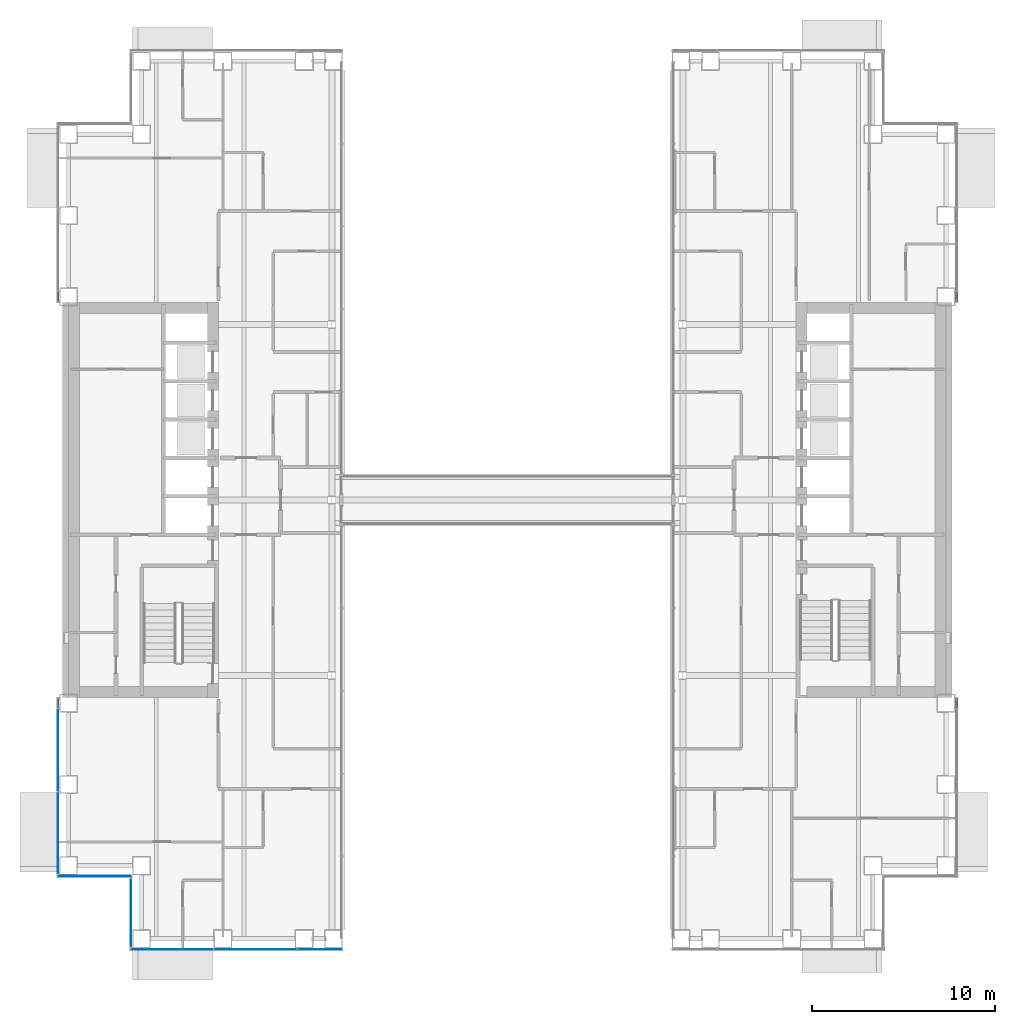
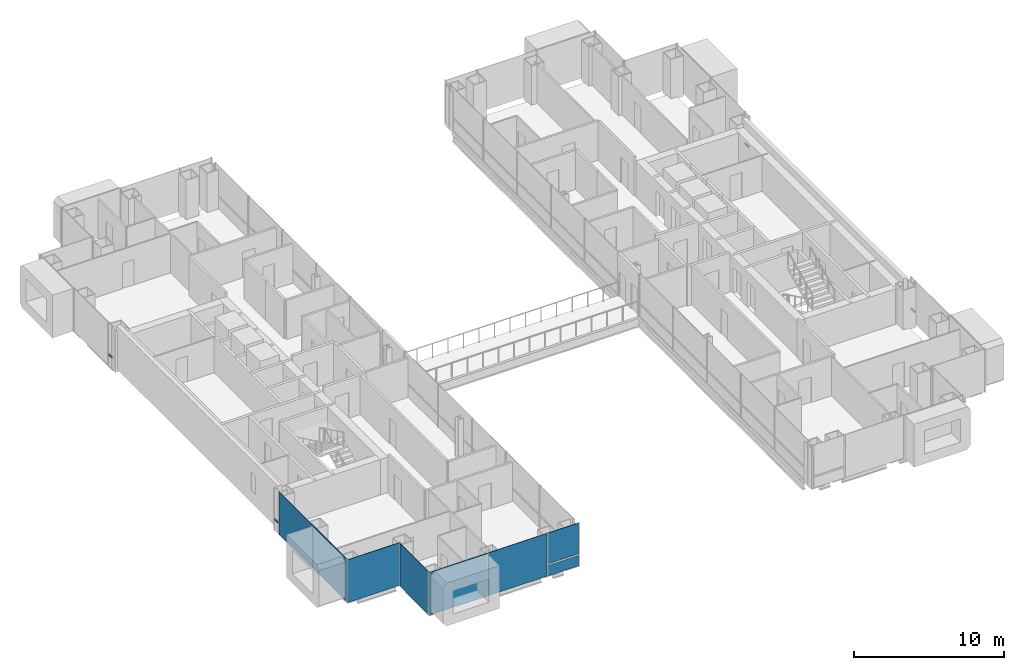
# One storey, part 8 of 21: 8 plates, 4 members, 7 elements without a shape of their own.
"""IFC4 building model written with IfcOpenShell, lengths in metres."""

from ifc_helpers import new_model, si_unit, direction, frame, origin, origin_2d, place, context, subcontext, project, spatial, rectangle, extrude, material, layer, layer_set, material_profile, profile_set, type_object, element, aggregate, save


model = new_model("IFC4")

# Units and contexts
model_context = context("Model", 3, precision=1e-05, world=origin(), true_north=direction((0.0, 1.0)))
body_context = subcontext(model_context, "Body", "Model", "MODEL_VIEW")
ifc_project = project(units=[si_unit("LENGTHUNIT", "METRE"), si_unit("AREAUNIT", "SQUARE_METRE"), si_unit("VOLUMEUNIT", "CUBIC_METRE"), si_unit("PLANEANGLEUNIT", "RADIAN"), si_unit("MASSUNIT", "GRAM", prefix="KILO")], contexts=[model_context])

# Site, building, storey
site_placement = place(None, origin())
site = spatial("IfcSite", under=ifc_project, at=site_placement, CompositionType="ELEMENT")
building_placement = place(site_placement, origin())
building = spatial("IfcBuilding", under=site, at=building_placement, Name="Cobrizo Arcos Hotel Tower", CompositionType="ELEMENT")
storey_placement = place(building_placement, frame((0.0, 0.0, 81.0)))
storey = spatial("IfcBuildingStorey", under=building, at=storey_placement, Name="L19", CompositionType="ELEMENT", Elevation=81.0)

# Curtain wall, member
ifc_material_1 = material(Name="Aluminium 6063-T6 anodised bronze", Category="aluminium")
curtain_wall_type = type_object("IfcCurtainWallType", Name="CW-A guest facade", PredefinedType="NOTDEFINED", material=ifc_material_1)
curtain_wall_1_placement = place(storey_placement, origin())
curtain_wall_1 = element("IfcCurtainWall", 1, at=curtain_wall_1_placement, inside=storey, type_object=curtain_wall_type, Name="CW-A L19 E face", PredefinedType="NOTDEFINED")
ifc_material_profile = material_profile(ifc_material_1, rectangle(XDim=0.10009765625, YDim=0.1201171875, at=origin_2d()), Name="CW-A transom 120x100")
ifc_profile_set = profile_set([ifc_material_profile], Name="Aluminium 6063-T6 anodised bronze")
member_type = type_object("IfcMemberType", Name="CW-A transom 120x100", PredefinedType="USERDEFINED", material=ifc_profile_set)
member_1_placement = place(storey_placement, frame((24.574951171875, -11.35888671875, 0.929931640625), z_axis=(0.0, 1.0, 0.0), x_axis=(-1.0, 0.0, 0.0)))
member_1 = element("IfcMember", 2, at=member_1_placement, type_object=member_type, Name="CW-A transom 791", ObjectType="TRANSOM", PredefinedType="USERDEFINED", context=body_context, shape_type="SweptSolid", body=[
    extrude(rectangle(XDim=0.10009765625, YDim=0.1201171875, at=origin_2d()), origin(), (0.0, 0.0, 1.0), 0.498779296875),
])
aggregate(curtain_wall_1, [member_1])

curtain_wall_2_placement = place(storey_placement, origin())
curtain_wall_2 = element("IfcCurtainWall", 3, at=curtain_wall_2_placement, inside=storey, type_object=curtain_wall_type, Name="CW-A L19 E face", PredefinedType="NOTDEFINED")
member_2_placement = place(storey_placement, frame((24.574951171875, 10.860107421875, 0.929931640625), z_axis=(0.0, 1.0, 0.0), x_axis=(-1.0, 0.0, 0.0)))
member_2 = element("IfcMember", 4, at=member_2_placement, type_object=member_type, Name="CW-A transom 792", ObjectType="TRANSOM", PredefinedType="USERDEFINED", context=body_context, shape_type="SweptSolid", body=[
    extrude(rectangle(XDim=0.10009765625, YDim=0.1201171875, at=origin_2d()), origin(), (0.0, 0.0, 1.0), 0.498779296875),
])
aggregate(curtain_wall_2, [member_2])

curtain_wall_3_placement = place(storey_placement, origin())
curtain_wall_3 = element("IfcCurtainWall", 5, at=curtain_wall_3_placement, inside=storey, type_object=curtain_wall_type, Name="CW-A L19 W face", PredefinedType="NOTDEFINED")
member_3_placement = place(storey_placement, frame((-24.574951171875, 11.35888671875, 0.929931640625), z_axis=(0.0, -1.0, 0.0), x_axis=(1.0, 0.0, 0.0)))
member_3 = element("IfcMember", 6, at=member_3_placement, type_object=member_type, Name="CW-A transom 807", ObjectType="TRANSOM", PredefinedType="USERDEFINED", context=body_context, shape_type="SweptSolid", body=[
    extrude(rectangle(XDim=0.10009765625, YDim=0.1201171875, at=origin_2d()), origin(), (0.0, 0.0, 1.0), 0.498779296875),
])
aggregate(curtain_wall_3, [member_3])

curtain_wall_4_placement = place(storey_placement, origin())
curtain_wall_4 = element("IfcCurtainWall", 7, at=curtain_wall_4_placement, inside=storey, type_object=curtain_wall_type, Name="CW-A L19 W face", PredefinedType="NOTDEFINED")
member_4_placement = place(storey_placement, frame((-24.574951171875, -10.860107421875, 0.929931640625), z_axis=(0.0, -1.0, 0.0), x_axis=(1.0, 0.0, 0.0)))
member_4 = element("IfcMember", 8, at=member_4_placement, type_object=member_type, Name="CW-A transom 808", ObjectType="TRANSOM", PredefinedType="USERDEFINED", context=body_context, shape_type="SweptSolid", body=[
    extrude(rectangle(XDim=0.10009765625, YDim=0.1201171875, at=origin_2d()), origin(), (0.0, 0.0, 1.0), 0.498779296875),
])

# Curtain wall, plates
curtain_wall_5_placement = place(storey_placement, origin())
curtain_wall_5 = element("IfcCurtainWall", 9, at=curtain_wall_5_placement, inside=storey, type_object=curtain_wall_type, Name="CW-A L19 S face", PredefinedType="NOTDEFINED")
ifc_material_2 = material(Name="Glass clear laminated low-e", Category="glass")
ifc_layer_1 = layer(ifc_material_2, 0.0400390625)
ifc_layer_set_1 = layer_set([ifc_layer_1], Name="CW-A glass panel")
plate_type_1 = type_object("IfcPlateType", Name="CW-A glass panel", PredefinedType="CURTAIN_PANEL", material=ifc_layer_set_1)
plate_1_placement = place(storey_placement, frame((-10.251220703125, -24.574951171875, 0.990234375), z_axis=(0.0, 0.0, 1.0), x_axis=(1.0, 0.0, 0.0)))
plate_1 = element("IfcPlate", 10, at=plate_1_placement, type_object=plate_type_1, Name="CW-A glass panel 783", PredefinedType="CURTAIN_PANEL", context=body_context, shape_type="SweptSolid", body=[
    extrude(rectangle(XDim=2.38232421875, YDim=0.0400390625, at=origin_2d()), origin(), (0.0, 0.0, 1.0), 2.510009765625),
])
ifc_material_3 = material(Name="Aluminium composite panel pale metal", Category="aluminium")
ifc_layer_2 = layer(ifc_material_3, 0.0400390625)
ifc_layer_set_2 = layer_set([ifc_layer_2], Name="CW-A spandrel panel")
plate_type_2 = type_object("IfcPlateType", Name="CW-A spandrel panel", PredefinedType="CURTAIN_PANEL", material=ifc_layer_set_2)
plate_2_placement = place(storey_placement, frame((-18.340576171875, -24.574951171875, 0.0), z_axis=(0.0, 0.0, 1.0), x_axis=(1.0, 0.0, 0.0)))
plate_2 = element("IfcPlate", 11, at=plate_2_placement, type_object=plate_type_2, Name="CW-A spandrel panel 781", PredefinedType="CURTAIN_PANEL", context=body_context, shape_type="SweptSolid", body=[
    extrude(rectangle(XDim=4.498779296875, YDim=0.0400390625, at=origin_2d()), origin(), (0.0, 0.0, 1.0), 3.5),
])
plate_3_placement = place(storey_placement, frame((-13.7666015625, -24.574951171875, 0.0), z_axis=(0.0, 0.0, 1.0), x_axis=(1.0, 0.0, 0.0)))
plate_3 = element("IfcPlate", 12, at=plate_3_placement, type_object=plate_type_2, Name="CW-A spandrel panel 782", PredefinedType="CURTAIN_PANEL", context=body_context, shape_type="SweptSolid", body=[
    extrude(rectangle(XDim=4.52880859375, YDim=0.0400390625, at=origin_2d()), origin(), (0.0, 0.0, 1.0), 3.5),
])
plate_4_placement = place(storey_placement, frame((-10.251220703125, -24.574951171875, 0.0), z_axis=(0.0, 0.0, 1.0), x_axis=(1.0, 0.0, 0.0)))
plate_4 = element("IfcPlate", 13, at=plate_4_placement, type_object=plate_type_2, Name="CW-A spandrel panel 783", PredefinedType="CURTAIN_PANEL", context=body_context, shape_type="SweptSolid", body=[
    extrude(rectangle(XDim=2.38232421875, YDim=0.0400390625, at=origin_2d()), origin(), (0.0, 0.0, 1.0), 0.8701171875),
])
aggregate(curtain_wall_5, [plate_2, plate_3, plate_4, plate_1])

# Plate
plate_5_placement = place(storey_placement, frame((-24.574951171875, -13.666748046875, 0.0), z_axis=(0.0, 0.0, 1.0), x_axis=(0.0, -1.0, 0.0)))
plate_5 = element("IfcPlate", 14, at=plate_5_placement, type_object=plate_type_2, Name="CW-A spandrel panel 809", PredefinedType="CURTAIN_PANEL", context=body_context, shape_type="SweptSolid", body=[
    extrude(rectangle(XDim=4.49560546875, YDim=0.0400390625, at=origin_2d()), origin(), (0.0, 0.0, 1.0), 3.5),
])

plate_6_placement = place(storey_placement, frame((-24.574951171875, -18.207275390625, 0.0), z_axis=(0.0, 0.0, 1.0), x_axis=(0.0, -1.0, 0.0)))
plate_6 = element("IfcPlate", 15, at=plate_6_placement, type_object=plate_type_2, Name="CW-A spandrel panel 810", PredefinedType="CURTAIN_PANEL", context=body_context, shape_type="SweptSolid", body=[
    extrude(rectangle(XDim=4.465576171875, YDim=0.0400390625, at=origin_2d()), origin(), (0.0, 0.0, 1.0), 3.5),
])

aggregate(curtain_wall_4, [member_4, plate_5, plate_6])

# Curtain wall, plate
curtain_wall_6_placement = place(storey_placement, origin())
curtain_wall_6 = element("IfcCurtainWall", 16, at=curtain_wall_6_placement, inside=storey, type_object=curtain_wall_type, Name="CW-A L19 S face", PredefinedType="NOTDEFINED")
plate_7_placement = place(storey_placement, frame((-22.574951171875, -20.574951171875, 0.0), z_axis=(0.0, 0.0, 1.0), x_axis=(1.0, 0.0, 0.0)))
plate_7 = element("IfcPlate", 17, at=plate_7_placement, type_object=plate_type_2, Name="CW-A spandrel panel 811", PredefinedType="CURTAIN_PANEL", context=body_context, shape_type="SweptSolid", body=[
    extrude(rectangle(XDim=4.030029296875, YDim=0.0400390625, at=origin_2d()), origin(), (0.0, 0.0, 1.0), 3.5),
])
aggregate(curtain_wall_6, [plate_7])

curtain_wall_7_placement = place(storey_placement, origin())
curtain_wall_7 = element("IfcCurtainWall", 18, at=curtain_wall_7_placement, inside=storey, type_object=curtain_wall_type, Name="CW-A L19 W face", PredefinedType="NOTDEFINED")
plate_8_placement = place(storey_placement, frame((-20.574951171875, -22.574951171875, 0.0), z_axis=(0.0, 0.0, 1.0), x_axis=(0.0, -1.0, 0.0)))
plate_8 = element("IfcPlate", 19, at=plate_8_placement, type_object=plate_type_2, Name="CW-A spandrel panel 812", PredefinedType="CURTAIN_PANEL", context=body_context, shape_type="SweptSolid", body=[
    extrude(rectangle(XDim=3.72998046875, YDim=0.0400390625, at=origin_2d()), origin(), (0.0, 0.0, 1.0), 3.5),
])
aggregate(curtain_wall_7, [plate_8])

save(model, "model.ifc")
